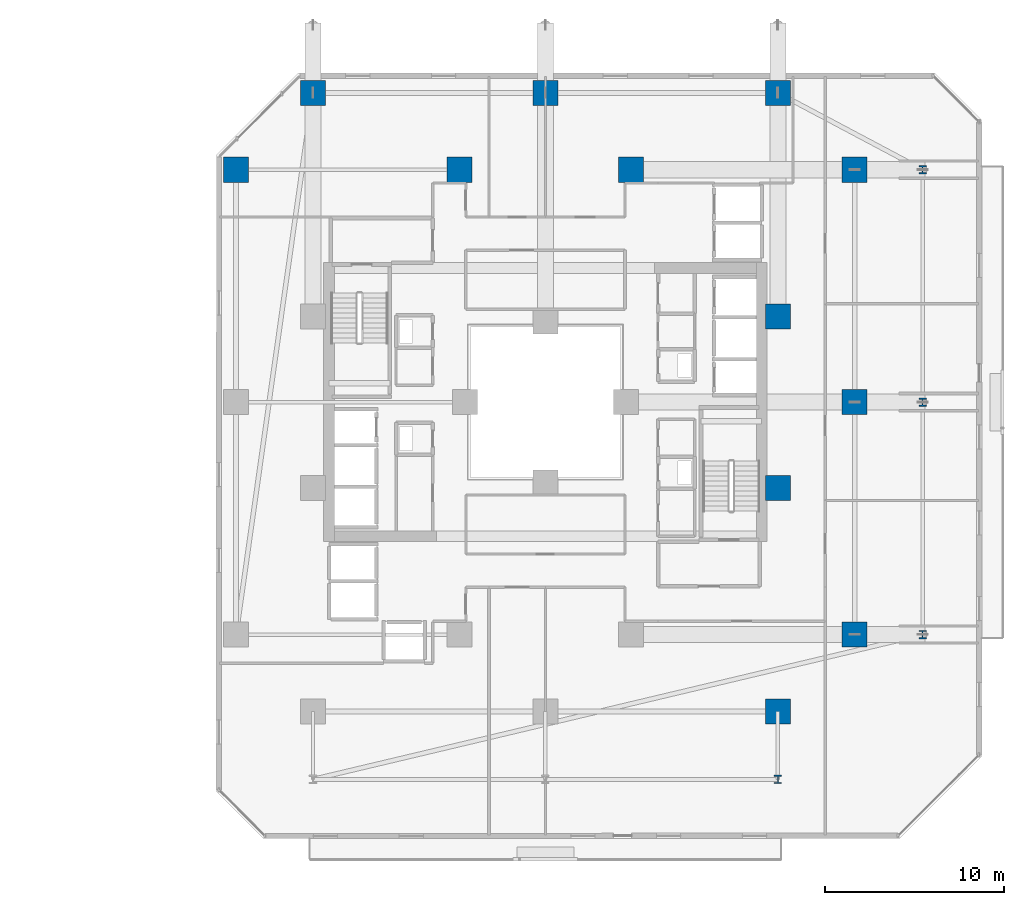
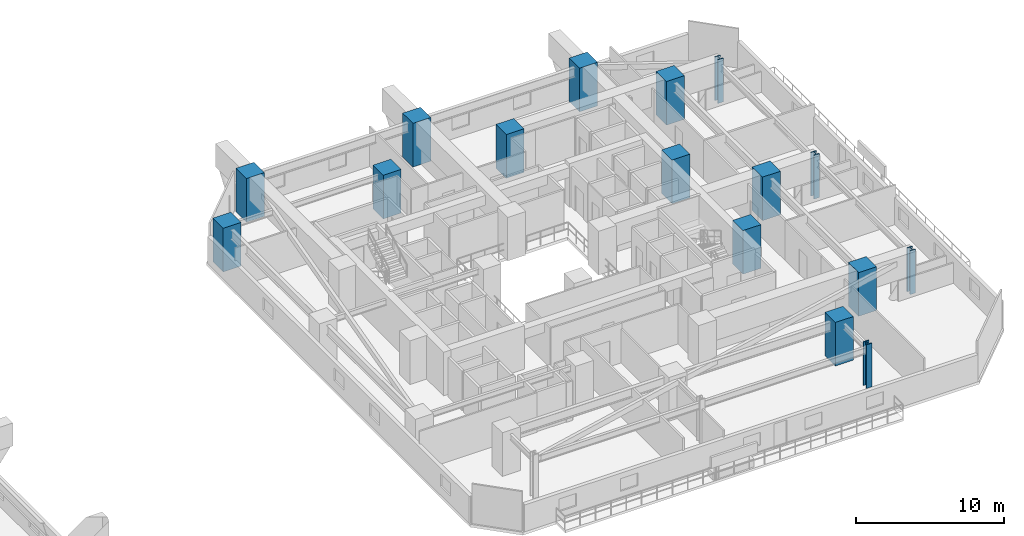
# One storey, part 2 of 36: 16 columns.
"""IFC4 building model written with IfcOpenShell, lengths in metres."""

from ifc_helpers import new_model, si_unit, direction, frame, origin, origin_2d, place, context, subcontext, project, spatial, rectangle, i_section, extrude, material, material_profile, profile_set, type_object, element, save


model = new_model("IFC4")

# Units and contexts
model_context = context("Model", 3, precision=1e-05, world=origin(), true_north=direction((0.0, 1.0)))
body_context = subcontext(model_context, "Body", "Model", "MODEL_VIEW")
ifc_project = project(units=[si_unit("LENGTHUNIT", "METRE"), si_unit("AREAUNIT", "SQUARE_METRE"), si_unit("VOLUMEUNIT", "CUBIC_METRE"), si_unit("PLANEANGLEUNIT", "RADIAN"), si_unit("MASSUNIT", "GRAM", prefix="KILO")], contexts=[model_context])

# Site, building, storey
site_placement = place(None, origin())
site = spatial("IfcSite", under=ifc_project, at=site_placement, CompositionType="ELEMENT")
building_placement = place(site_placement, origin())
building = spatial("IfcBuilding", under=site, at=building_placement, Name="Thornwick Lancets Civic Towers", CompositionType="ELEMENT")
storey_placement = place(building_placement, frame((0.0, 0.0, 45.89990234375)))
storey = spatial("IfcBuildingStorey", under=building, at=storey_placement, Name="L11", CompositionType="ELEMENT", Elevation=45.89990234375)

# Columns
ifc_material_1 = material(Name="Concrete C60/75", Category="concrete")
ifc_material_profile_1 = material_profile(ifc_material_1, rectangle(XDim=1.39990234375, YDim=1.39990234375, at=origin_2d()), Name="RC 1400x1400")
ifc_profile_set_1 = profile_set([ifc_material_profile_1], Name="Concrete C60/75")
column_type_1 = type_object("IfcColumnType", Name="COL_RC_1400", PredefinedType="COLUMN", material=ifc_profile_set_1)
for number, where, z_axis, x_axis, name in (
    (1, (105.800048828125, 14.0, 0.0), (0.0, 0.0, 1.0), (1.0, 0.0, 0.0), "L11 Spine Mega-Column B01"),
    (2, (105.800048828125, 27.0, 0.0), (0.0, 0.0, 1.0), (1.0, 0.0, 0.0), "L11 Spine Mega-Column B02"),
    (3, (105.800048828125, 40.0, 0.0), (0.0, 0.0, 1.0), (1.0, 0.0, 0.0), "L11 Spine Mega-Column B03"),
    (4, (101.5, 44.300048828125, 0.0), (0.0, 0.0, 1.0), (1.0, 0.0, 0.0), "L11 Spine Mega-Column B04"),
    (5, (88.5, 44.300048828125, 0.0), (0.0, 0.0, 1.0), (1.0, 0.0, 0.0), "L11 Spine Mega-Column B05"),
    (6, (75.5, 44.300048828125, 0.0), (0.0, 0.0, 1.0), (1.0, 0.0, 0.0), "L11 Spine Mega-Column B06"),
    (7, (71.199951171875, 40.0, 0.0), (0.0, 0.0, 1.0), (1.0, 0.0, 0.0), "L11 Spine Mega-Column B09"),
    (8, (101.5, 9.699951171875, 0.0), (0.0, 0.0, 1.0), (1.0, 0.0, 0.0), "L11 Spine Mega-Column B10"),
    (9, (93.300048828125, 40.0, 0.0), (0.0, 0.0, 1.0), (1.0, 0.0, 0.0), "L11 Spine Mega-Column B14"),
    (10, (83.699951171875, 40.0, 0.0), (0.0, 0.0, 1.0), (1.0, 0.0, 0.0), "L11 Spine Mega-Column B16"),
    (11, (101.5, 22.199951171875, 0.0), (0.0, 0.0, 1.0), (1.0, 0.0, 0.0), "L11 Spine Mega-Column B17"),
    (12, (101.5, 31.800048828125, 0.0), (0.0, 0.0, 1.0), (1.0, 0.0, 0.0), "L11 Spine Mega-Column B18"),
):
    element("IfcColumn", number, at=place(storey_placement, frame(where, z_axis=z_axis, x_axis=x_axis)), inside=storey, type_object=column_type_1, Name=name, PredefinedType="COLUMN", context=body_context, shape_type="SweptSolid", body=[
        extrude(rectangle(XDim=1.39990234375, YDim=1.39990234375, at=origin_2d()), origin(), (0.0, 0.0, 1.0), 3.60009765625),
    ])
ifc_material_2 = material(Name="Steel S460M", Category="steel")
ifc_material_profile_2 = material_profile(ifc_material_2, i_section(OverallWidth=0.424072265625, OverallDepth=0.474609375, WebThickness=0.047607421875, FlangeThickness=0.076904296875, FilletRadius=0.01513671875, at=origin_2d()), Name="UKC 356x406x634")
ifc_profile_set_2 = profile_set([ifc_material_profile_2], Name="Steel S460M")
column_type_2 = type_object("IfcColumnType", Name="COL_UKC_634", PredefinedType="COLUMN", material=ifc_profile_set_2)
for number, where, z_axis, x_axis, name in (
    (13, (109.60009765625, 14.0, 0.0), (0.0, 0.0, 1.0), (1.0, 0.0, 0.0), "L11 Block Perimeter Column B01"),
    (14, (109.60009765625, 27.0, 0.0), (0.0, 0.0, 1.0), (1.0, 0.0, 0.0), "L11 Block Perimeter Column B02"),
    (15, (109.60009765625, 40.0, 0.0), (0.0, 0.0, 1.0), (1.0, 0.0, 0.0), "L11 Block Perimeter Column B03"),
    (16, (101.5, 5.89990234375, 0.0), (0.0, 0.0, 1.0), (1.0, 0.0, 0.0), "L11 Block Perimeter Column B10"),
):
    element("IfcColumn", number, at=place(storey_placement, frame(where, z_axis=z_axis, x_axis=x_axis)), inside=storey, type_object=column_type_2, Name=name, PredefinedType="COLUMN", context=body_context, shape_type="SweptSolid", body=[
        extrude(i_section(OverallWidth=0.424072265625, OverallDepth=0.474609375, WebThickness=0.047607421875, FlangeThickness=0.076904296875, FilletRadius=0.01513671875, at=origin_2d()), origin(), (0.0, 0.0, 1.0), 3.60009765625),
    ])

save(model, "model.ifc")
